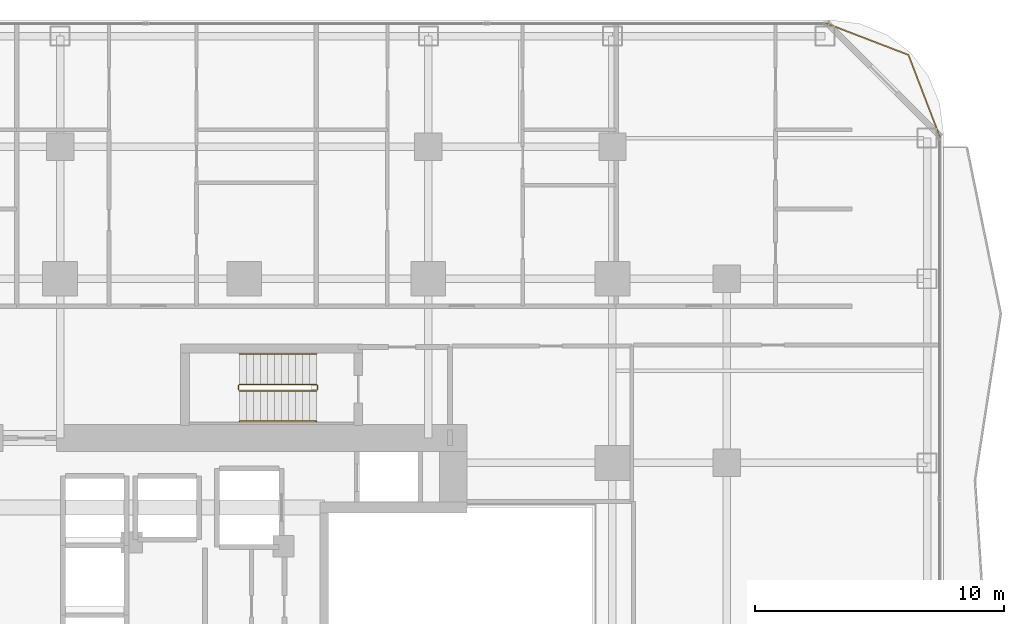
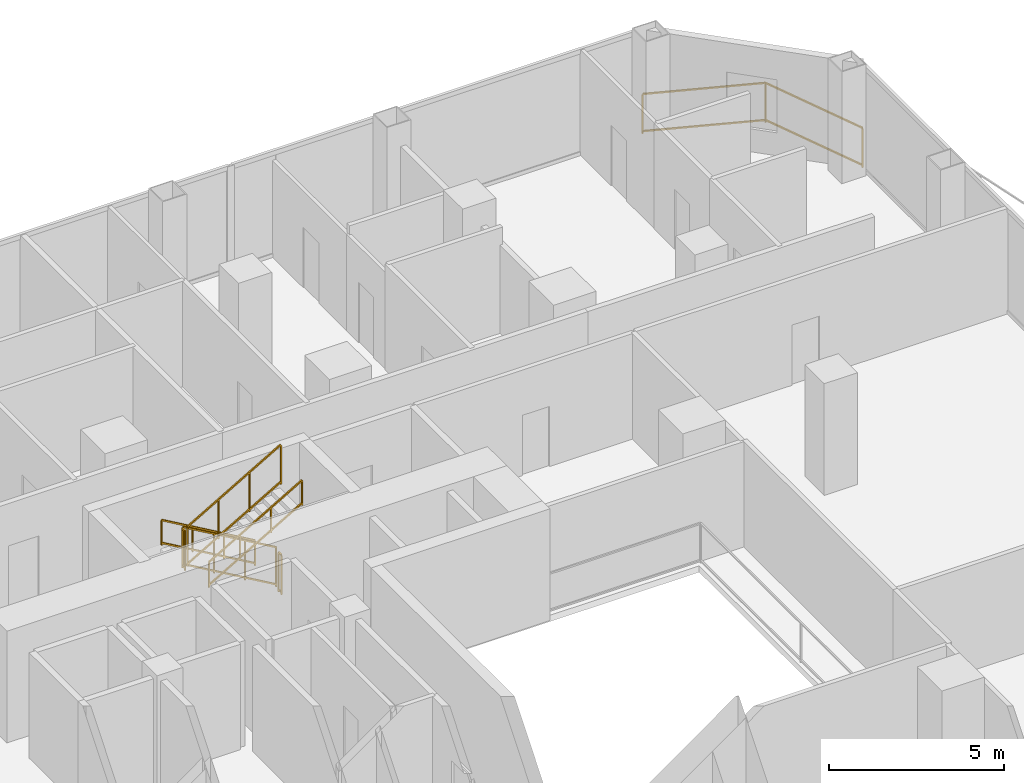
# One storey, part 27 of 27: 7 railings.
"""IFC4 building model written with IfcOpenShell, lengths in metres."""

from ifc_helpers import new_model, si_unit, direction, frame, origin, origin_2d, place, context, subcontext, project, spatial, rectangle, extrude, material, type_object, element, save


model = new_model("IFC4")

# Units and contexts
model_context = context("Model", 3, precision=1e-05, world=origin(), true_north=direction((0.0, 1.0)))
body_context = subcontext(model_context, "Body", "Model", "MODEL_VIEW")
ifc_project = project(units=[si_unit("LENGTHUNIT", "METRE"), si_unit("AREAUNIT", "SQUARE_METRE"), si_unit("VOLUMEUNIT", "CUBIC_METRE"), si_unit("PLANEANGLEUNIT", "RADIAN"), si_unit("MASSUNIT", "GRAM", prefix="KILO")], contexts=[model_context])

# Site, building, storey
site_placement = place(None, origin())
site = spatial("IfcSite", under=ifc_project, at=site_placement, CompositionType="ELEMENT")
building_placement = place(site_placement, origin())
building = spatial("IfcBuilding", under=site, at=building_placement, Name="Khorvyn Point Tower", CompositionType="ELEMENT")
storey_placement = place(building_placement, frame((0.0, 0.0, 46.199951171875)))
storey = spatial("IfcBuildingStorey", under=building, at=storey_placement, Name="L12", CompositionType="ELEMENT", Elevation=46.199951171875)

# Railings
ifc_material_1 = material(Name="Anodised aluminium 6063-T6 and laminated safety glass", Category="aluminium")
railing_type_1 = type_object("IfcRailingType", Name="Laminated Glass and Aluminium Balcony Guardrail 1400", PredefinedType="BALUSTRADE", material=ifc_material_1)
railing_1_placement = place(storey_placement, frame((27.97412109375, 20.470703125, 0.0)))
element("IfcRailing", 1, at=railing_1_placement, inside=storey, type_object=railing_type_1, Name="L12 Rounded Corner Edge Guardrail NE", PredefinedType="BALUSTRADE", context=body_context, shape_type="SweptSolid", body=[
    extrude(rectangle(XDim=0.048095703125, YDim=0.048095703125, at=origin_2d()), frame((0.0, 0.0, 1.3759765625), z_axis=(-0.35841886047, 0.933560882031, 0.0), x_axis=(-0.933560882031, -0.35841886047, 0.0)), (0.0, 0.0, 1.0), 3.563232421875),
    extrude(rectangle(XDim=0.048095703125, YDim=0.048095703125, at=origin_2d()), frame((0.0, 0.0, 0.080078125), z_axis=(-0.35841886047, 0.933560882031, 0.0), x_axis=(-0.933560882031, -0.35841886047, 0.0)), (0.0, 0.0, 1.0), 3.563232421875),
    extrude(rectangle(XDim=0.048095703125, YDim=0.048095703125, at=origin_2d()), frame((-1.277099609375, 3.326416015625, 1.3759765625), z_axis=(-0.933575007025, 0.358382067435, 0.0), x_axis=(-0.358382067435, -0.933575007025, 0.0)), (0.0, 0.0, 1.0), 3.562744140625),
    extrude(rectangle(XDim=0.048095703125, YDim=0.048095703125, at=origin_2d()), frame((-1.277099609375, 3.326416015625, 0.080078125), z_axis=(-0.933575007025, 0.358382067435, 0.0), x_axis=(-0.358382067435, -0.933575007025, 0.0)), (0.0, 0.0, 1.0), 3.562744140625),
    extrude(rectangle(XDim=0.0419921875, YDim=0.0419921875, at=origin_2d()), origin(), (0.0, 0.0, 1.0), 1.351806640625),
    extrude(rectangle(XDim=0.0419921875, YDim=0.0419921875, at=origin_2d()), frame((-1.277099609375, 3.326416015625, 0.0)), (0.0, 0.0, 1.0), 1.351806640625),
    extrude(rectangle(XDim=0.0419921875, YDim=0.0419921875, at=origin_2d()), frame((-4.603271484375, 4.603271484375, 0.0)), (0.0, 0.0, 1.0), 1.351806640625),
])
ifc_material_2 = material(Name="Stainless steel 1.4301", Category="steel")
railing_type_2 = type_object("IfcRailingType", Name="Stainless Steel 304 Stair Pitch Handrail 900", PredefinedType="HANDRAIL", material=ifc_material_2)
railing_2_placement = place(storey_placement, frame((2.89990234375, 11.77001953125, 0.16259765625)))
element("IfcRailing", 2, at=railing_2_placement, inside=storey, type_object=railing_type_2, Name="L12 ST-02 stair handrail 1", PredefinedType="HANDRAIL", context=body_context, shape_type="SweptSolid", body=[
    extrude(rectangle(XDim=0.048095703125, YDim=0.048095703125, at=origin_2d()), frame((0.0, 0.0, 0.8759765625), z_axis=(-0.864903211148, 0.0, 0.501938676878), x_axis=(0.0, -1.0, 0.0)), (0.0, 0.0, 1.0), 3.560791015625),
    extrude(rectangle(XDim=0.048095703125, YDim=0.048095703125, at=origin_2d()), frame((0.0, 0.0, 0.080078125), z_axis=(-0.864903211148, 0.0, 0.501938676878), x_axis=(0.0, -1.0, 0.0)), (0.0, 0.0, 1.0), 3.560791015625),
    extrude(rectangle(XDim=0.0419921875, YDim=0.0419921875, at=origin_2d()), origin(), (0.0, 0.0, 1.0), 0.851806640625),
    extrude(rectangle(XDim=0.0419921875, YDim=0.0419921875, at=origin_2d()), frame((-1.026611328125, 0.0, 0.595703125)), (0.0, 0.0, 1.0), 0.851806640625),
    extrude(rectangle(XDim=0.0419921875, YDim=0.0419921875, at=origin_2d()), frame((-2.05322265625, 0.0, 1.191650390625)), (0.0, 0.0, 1.0), 0.851806640625),
    extrude(rectangle(XDim=0.0419921875, YDim=0.0419921875, at=origin_2d()), frame((-3.079833984375, 0.0, 1.787353515625)), (0.0, 0.0, 1.0), 0.851806640625),
])
railing_3_placement = place(storey_placement, frame((-0.179931640625, 9.070068359375, 2.112548828125)))
element("IfcRailing", 3, at=railing_3_placement, inside=storey, type_object=railing_type_2, Name="L12 ST-02 stair handrail 2", PredefinedType="HANDRAIL", context=body_context, shape_type="SweptSolid", body=[
    extrude(rectangle(XDim=0.048095703125, YDim=0.048095703125, at=origin_2d()), frame((0.0, 0.0, 0.8759765625), z_axis=(0.864873446163, 0.0, 0.501989962173), x_axis=(0.0, 1.0, 0.0)), (0.0, 0.0, 1.0), 3.56103515625),
    extrude(rectangle(XDim=0.048095703125, YDim=0.048095703125, at=origin_2d()), frame((0.0, 0.0, 0.080078125), z_axis=(0.864873446163, 0.0, 0.501989962173), x_axis=(0.0, 1.0, 0.0)), (0.0, 0.0, 1.0), 3.56103515625),
    extrude(rectangle(XDim=0.0419921875, YDim=0.0419921875, at=origin_2d()), origin(), (0.0, 0.0, 1.0), 0.851806640625),
    extrude(rectangle(XDim=0.0419921875, YDim=0.0419921875, at=origin_2d()), frame((1.026611328125, 0.0, 0.595947265625)), (0.0, 0.0, 1.0), 0.851806640625),
    extrude(rectangle(XDim=0.0419921875, YDim=0.0419921875, at=origin_2d()), frame((2.05322265625, 0.0, 1.191650390625)), (0.0, 0.0, 1.0), 0.851806640625),
    extrude(rectangle(XDim=0.0419921875, YDim=0.0419921875, at=origin_2d()), frame((3.079833984375, 0.0, 1.78759765625)), (0.0, 0.0, 1.0), 0.851806640625),
])
railing_type_3 = type_object("IfcRailingType", Name="Stainless Steel 304 Stair Well Guardrail 1400", PredefinedType="GUARDRAIL", material=ifc_material_2)
railing_4_placement = place(storey_placement, frame((2.89990234375, 10.550048828125, 0.16259765625)))
element("IfcRailing", 4, at=railing_4_placement, inside=storey, type_object=railing_type_3, Name="L12 ST-02 stair guard 1", PredefinedType="GUARDRAIL", context=body_context, shape_type="SweptSolid", body=[
    extrude(rectangle(XDim=0.048095703125, YDim=0.048095703125, at=origin_2d()), frame((0.0, 0.0, 1.3759765625), z_axis=(-0.864903211148, 0.0, 0.501938676878), x_axis=(0.0, -1.0, 0.0)), (0.0, 0.0, 1.0), 3.560791015625),
    extrude(rectangle(XDim=0.048095703125, YDim=0.048095703125, at=origin_2d()), frame((0.0, 0.0, 0.080078125), z_axis=(-0.864903211148, 0.0, 0.501938676878), x_axis=(0.0, -1.0, 0.0)), (0.0, 0.0, 1.0), 3.560791015625),
    extrude(rectangle(XDim=0.0419921875, YDim=0.0419921875, at=origin_2d()), origin(), (0.0, 0.0, 1.0), 1.351806640625),
    extrude(rectangle(XDim=0.0419921875, YDim=0.0419921875, at=origin_2d()), frame((-1.026611328125, 0.0, 0.595703125)), (0.0, 0.0, 1.0), 1.351806640625),
    extrude(rectangle(XDim=0.0419921875, YDim=0.0419921875, at=origin_2d()), frame((-2.05322265625, 0.0, 1.191650390625)), (0.0, 0.0, 1.0), 1.351806640625),
    extrude(rectangle(XDim=0.0419921875, YDim=0.0419921875, at=origin_2d()), frame((-3.079833984375, 0.0, 1.787353515625)), (0.0, 0.0, 1.0), 1.351806640625),
])
railing_5_placement = place(storey_placement, frame((-0.22998046875, 10.5, 1.949951171875)))
element("IfcRailing", 5, at=railing_5_placement, inside=storey, type_object=railing_type_3, Name="L12 ST-02 stair guard 2", PredefinedType="GUARDRAIL", context=body_context, shape_type="SweptSolid", body=[
    extrude(rectangle(XDim=0.048095703125, YDim=0.048095703125, at=origin_2d()), frame((0.0, 0.0, 1.3759765625), z_axis=(0.0, -1.0, 0.0), x_axis=(1.0, 0.0, 0.0)), (0.0, 0.0, 1.0), 0.159912109375),
    extrude(rectangle(XDim=0.048095703125, YDim=0.048095703125, at=origin_2d()), frame((0.0, 0.0, 0.080078125), z_axis=(0.0, -1.0, 0.0), x_axis=(1.0, 0.0, 0.0)), (0.0, 0.0, 1.0), 0.159912109375),
    extrude(rectangle(XDim=0.0419921875, YDim=0.0419921875, at=origin_2d()), origin(), (0.0, 0.0, 1.0), 1.351806640625),
    extrude(rectangle(XDim=0.0419921875, YDim=0.0419921875, at=origin_2d()), frame((0.0, -0.159912109375, 0.0)), (0.0, 0.0, 1.0), 1.351806640625),
])
railing_6_placement = place(storey_placement, frame((-0.179931640625, 10.2900390625, 2.112548828125)))
element("IfcRailing", 6, at=railing_6_placement, inside=storey, type_object=railing_type_3, Name="L12 ST-02 stair guard 3", PredefinedType="GUARDRAIL", context=body_context, shape_type="SweptSolid", body=[
    extrude(rectangle(XDim=0.048095703125, YDim=0.048095703125, at=origin_2d()), frame((0.0, 0.0, 1.3759765625), z_axis=(0.864873446163, 0.0, 0.501989962173), x_axis=(0.0, 1.0, 0.0)), (0.0, 0.0, 1.0), 3.56103515625),
    extrude(rectangle(XDim=0.048095703125, YDim=0.048095703125, at=origin_2d()), frame((0.0, 0.0, 0.080078125), z_axis=(0.864873446163, 0.0, 0.501989962173), x_axis=(0.0, 1.0, 0.0)), (0.0, 0.0, 1.0), 3.56103515625),
    extrude(rectangle(XDim=0.0419921875, YDim=0.0419921875, at=origin_2d()), origin(), (0.0, 0.0, 1.0), 1.351806640625),
    extrude(rectangle(XDim=0.0419921875, YDim=0.0419921875, at=origin_2d()), frame((1.026611328125, 0.0, 0.595947265625)), (0.0, 0.0, 1.0), 1.351806640625),
    extrude(rectangle(XDim=0.0419921875, YDim=0.0419921875, at=origin_2d()), frame((2.05322265625, 0.0, 1.191650390625)), (0.0, 0.0, 1.0), 1.351806640625),
    extrude(rectangle(XDim=0.0419921875, YDim=0.0419921875, at=origin_2d()), frame((3.079833984375, 0.0, 1.78759765625)), (0.0, 0.0, 1.0), 1.351806640625),
])
railing_7_placement = place(storey_placement, frame((2.949951171875, 10.5, 0.0)))
element("IfcRailing", 7, at=railing_7_placement, inside=storey, type_object=railing_type_3, Name="L12 ST-02 stair guard 4", PredefinedType="GUARDRAIL", context=body_context, shape_type="SweptSolid", body=[
    extrude(rectangle(XDim=0.048095703125, YDim=0.048095703125, at=origin_2d()), frame((0.0, 0.0, 1.3759765625), z_axis=(0.0, -1.0, 0.0), x_axis=(1.0, 0.0, 0.0)), (0.0, 0.0, 1.0), 0.159912109375),
    extrude(rectangle(XDim=0.048095703125, YDim=0.048095703125, at=origin_2d()), frame((0.0, 0.0, 0.080078125), z_axis=(0.0, -1.0, 0.0), x_axis=(1.0, 0.0, 0.0)), (0.0, 0.0, 1.0), 0.159912109375),
    extrude(rectangle(XDim=0.0419921875, YDim=0.0419921875, at=origin_2d()), origin(), (0.0, 0.0, 1.0), 1.351806640625),
    extrude(rectangle(XDim=0.0419921875, YDim=0.0419921875, at=origin_2d()), frame((0.0, -0.159912109375, 0.0)), (0.0, 0.0, 1.0), 1.351806640625),
])

save(model, "model.ifc")
